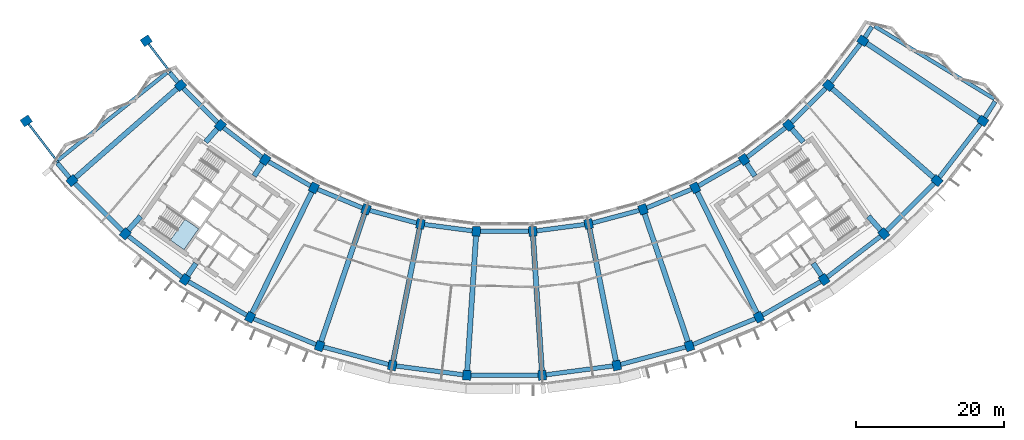
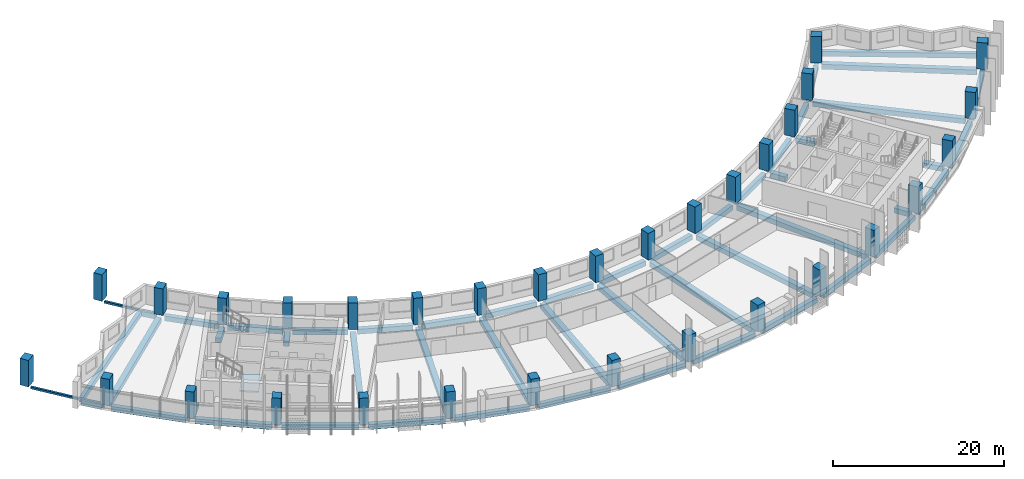
# One storey, part 1 of 27: 53 beams, 32 columns, 2 members, 1 slab, 1 element without a shape of its own.
"""IFC4 building model written with IfcOpenShell, lengths in metres."""

from ifc_helpers import new_model, si_unit, direction, frame, origin, origin_2d, place, context, subcontext, project, spatial, polyline, rectangle, hollow_rectangle, outline, extrude, material, layer, layer_set, material_profile, profile_set, type_object, element, aggregate, save


model = new_model("IFC4")

# Units and contexts
model_context = context("Model", 3, precision=1e-05, world=origin(), true_north=direction((0.0, 1.0)))
body_context = subcontext(model_context, "Body", "Model", "MODEL_VIEW")
ifc_project = project(units=[si_unit("LENGTHUNIT", "METRE"), si_unit("AREAUNIT", "SQUARE_METRE"), si_unit("VOLUMEUNIT", "CUBIC_METRE"), si_unit("PLANEANGLEUNIT", "RADIAN"), si_unit("MASSUNIT", "GRAM", prefix="KILO")], contexts=[model_context])

# Site, building, storey
site_placement = place(None, origin())
site = spatial("IfcSite", under=ifc_project, at=site_placement, CompositionType="ELEMENT")
building_placement = place(site_placement, origin())
building = spatial("IfcBuilding", under=site, at=building_placement, Name="Qamariyya Broadcast Tower", CompositionType="ELEMENT")
storey_placement = place(building_placement, frame((0.0, 0.0, 187.300048828125)))
storey = spatial("IfcBuildingStorey", under=building, at=storey_placement, Name="L44", CompositionType="ELEMENT", Elevation=187.300048828125)

# Columns
ifc_material_1 = material(Name="Concrete C60/75", Category="concrete")
ifc_material_profile_1 = material_profile(ifc_material_1, rectangle(XDim=1.10009765625, YDim=1.300048828125, at=origin_2d()))
ifc_profile_set_1 = profile_set([ifc_material_profile_1], Name="Concrete C60/75")
column_type = type_object("IfcColumnType", Name="RC column 1100 x 1300 C60/75", PredefinedType="COLUMN", material=ifc_profile_set_1)
for number, where, z_axis, x_axis, name in (
    (1, (-43.794677734375, -38.406982421875, 0.0), (0.0, 0.0, 1.0), (0.6593458151, -0.751839807479, 0.0), "Column C8 L44 B-R04"),
    (2, (-58.45556640625, -51.26416015625, 0.0), (0.0, 0.0, 1.0), (0.6593458151, -0.751839807479, 0.0), "Column C8 L44 C-R04"),
    (3, (-38.406982421875, -43.794677734375, 0.0), (0.0, 0.0, 1.0), (0.751839807479, -0.6593458151, 0.0), "Column C8 L44 B-R05"),
    (4, (-51.26416015625, -58.45556640625, 0.0), (0.0, 0.0, 1.0), (0.751839807479, -0.6593458151, 0.0), "Column C8 L44 C-R05"),
    (5, (-32.362060546875, -48.43310546875, 0.0), (0.0, 0.0, 1.0), (0.831469612303, -0.55557023302, 0.0), "Column C8 L44 B-R06"),
    (6, (-43.195556640625, -64.646728515625, 0.0), (0.0, 0.0, 1.0), (0.831469612303, -0.55557023302, 0.0), "Column C8 L44 C-R06"),
    (7, (-25.763427734375, -52.242919921875, 0.0), (0.0, 0.0, 1.0), (0.896872741533, -0.442288690219, 0.0), "Column C8 L44 B-R07"),
    (8, (-34.387939453125, -69.73193359375, 0.0), (0.0, 0.0, 1.0), (0.896872741533, -0.442288690219, 0.0), "Column C8 L44 C-R07"),
    (9, (-18.723876953125, -55.15869140625, 0.0), (0.0, 0.0, 1.0), (0.946930129495, -0.321439465303, 0.0), "Column C8 L44 B-R08"),
    (10, (-24.991943359375, -73.623779296875, 0.0), (0.0, 0.0, 1.0), (0.946930129495, -0.321439465303, 0.0), "Column C8 L44 C-R08"),
    (11, (-11.364013671875, -57.130859375, 0.0), (0.0, 0.0, 1.0), (0.980785280403, -0.195090322016, 0.0), "Column C8 L44 B-R09"),
    (12, (-15.168212890625, -76.256103515625, 0.0), (0.0, 0.0, 1.0), (0.980785280403, -0.195090322016, 0.0), "Column C8 L44 C-R09"),
    (13, (-3.809814453125, -58.125244140625, 0.0), (0.0, 0.0, 1.0), (0.997858923239, -0.06540312923, 0.0), "Column C8 L44 B-R10"),
    (14, (-5.085205078125, -77.58349609375, 0.0), (0.0, 0.0, 1.0), (0.997858923239, -0.06540312923, 0.0), "Column C8 L44 C-R10"),
    (15, (3.809814453125, -58.125244140625, 0.0), (0.0, 0.0, 1.0), (0.997858923239, 0.06540312923, 0.0), "Column C8 L44 B-R11"),
    (16, (5.085205078125, -77.58349609375, 0.0), (0.0, 0.0, 1.0), (0.997858923239, 0.06540312923, 0.0), "Column C8 L44 C-R11"),
    (17, (11.364013671875, -57.130859375, 0.0), (0.0, 0.0, 1.0), (0.980785280403, 0.195090322016, 0.0), "Column C8 L44 B-R12"),
    (18, (15.168212890625, -76.256103515625, 0.0), (0.0, 0.0, 1.0), (0.980785280403, 0.195090322016, 0.0), "Column C8 L44 C-R12"),
    (19, (18.723876953125, -55.15869140625, 0.0), (0.0, 0.0, 1.0), (0.946930129495, 0.321439465303, 0.0), "Column C8 L44 B-R13"),
    (20, (24.991943359375, -73.623779296875, 0.0), (0.0, 0.0, 1.0), (0.946930129495, 0.321439465303, 0.0), "Column C8 L44 C-R13"),
    (21, (25.763427734375, -52.242919921875, 0.0), (0.0, 0.0, 1.0), (0.896872741533, 0.442288690219, 0.0), "Column C8 L44 B-R14"),
    (22, (34.387939453125, -69.73193359375, 0.0), (0.0, 0.0, 1.0), (0.896872741533, 0.442288690219, 0.0), "Column C8 L44 C-R14"),
    (23, (32.362060546875, -48.43310546875, 0.0), (0.0, 0.0, 1.0), (0.831469612303, 0.55557023302, 0.0), "Column C8 L44 B-R15"),
    (24, (43.195556640625, -64.646728515625, 0.0), (0.0, 0.0, 1.0), (0.831469612303, 0.55557023302, 0.0), "Column C8 L44 C-R15"),
    (25, (38.406982421875, -43.794677734375, 0.0), (0.0, 0.0, 1.0), (0.751839807479, 0.6593458151, 0.0), "Column C8 L44 B-R16"),
    (26, (51.26416015625, -58.45556640625, 0.0), (0.0, 0.0, 1.0), (0.751839807479, 0.6593458151, 0.0), "Column C8 L44 C-R16"),
    (27, (43.794677734375, -38.406982421875, 0.0), (0.0, 0.0, 1.0), (0.6593458151, 0.751839807479, 0.0), "Column C8 L44 B-R17"),
    (28, (58.45556640625, -51.26416015625, 0.0), (0.0, 0.0, 1.0), (0.6593458151, 0.751839807479, 0.0), "Column C8 L44 C-R17"),
    (29, (48.43310546875, -32.362060546875, 0.0), (0.0, 0.0, 1.0), (0.55557023302, 0.831469612303, 0.0), "Column C8 L44 B-R18"),
    (30, (64.646728515625, -43.195556640625, 0.0), (0.0, 0.0, 1.0), (0.55557023302, 0.831469612303, 0.0), "Column C8 L44 C-R18"),
    (31, (-48.43310546875, -32.362060546875, 0.0), (0.0, 0.0, 1.0), (0.55557023302, -0.831469612303, 0.0), "Column C8 L44 B-R03"),
    (32, (-64.646728515625, -43.195556640625, 0.0), (0.0, 0.0, 1.0), (0.55557023302, -0.831469612303, 0.0), "Column C8 L44 C-R03"),
):
    element("IfcColumn", number, at=place(storey_placement, frame(where, z_axis=z_axis, x_axis=x_axis)), inside=storey, type_object=column_type, Name=name, PredefinedType="COLUMN", context=body_context, shape_type="SweptSolid", body=[
        extrude(rectangle(XDim=1.10009765625, YDim=1.300048828125, at=origin_2d()), origin(), (0.0, 0.0, 1.0), 3.800048828125),
    ])

# Members
ifc_material_2 = material(Name="Steel S355", Category="steel")
ifc_material_profile_2 = material_profile(ifc_material_2, hollow_rectangle(XDim=0.300048828125, YDim=0.300048828125, WallThickness=0.012451171875, InnerFilletRadius=0.012451171875, OuterFilletRadius=0.02490234375, at=origin_2d()))
ifc_profile_set_2 = profile_set([ifc_material_profile_2], Name="Steel S355")
member_type = type_object("IfcMemberType", Name="Pylon tie RHS 300x300x12.5", PredefinedType="STRUT", material=ifc_profile_set_2)
member_1_placement = place(storey_placement, frame((-44.130126953125, -37.9697265625, -0.449951171875), z_axis=(-0.608774374473, 0.793343406719, 0.0), x_axis=(-0.793343406719, -0.608774374473, 0.0)))
element("IfcMember", 33, at=member_1_placement, inside=storey, type_object=member_type, Name="Pylon tie T1 L44 B-R03", PredefinedType="STRUT", context=body_context, shape_type="SweptSolid", body=[
    extrude(hollow_rectangle(XDim=0.300048828125, YDim=0.300048828125, WallThickness=0.012451171875, InnerFilletRadius=0.012451171875, OuterFilletRadius=0.02490234375, at=origin_2d()), origin(), (0.0, 0.0, 1.0), 6.517333984375),
])
member_2_placement = place(storey_placement, frame((-58.791015625, -50.826904296875, -0.449951171875), z_axis=(-0.608764405458, 0.793351056372, 0.0), x_axis=(-0.793351056372, -0.608764405458, 0.0)))
element("IfcMember", 34, at=member_2_placement, inside=storey, type_object=member_type, Name="Pylon tie T1 L44 C-R03", PredefinedType="STRUT", context=body_context, shape_type="SweptSolid", body=[
    extrude(hollow_rectangle(XDim=0.300048828125, YDim=0.300048828125, WallThickness=0.012451171875, InnerFilletRadius=0.012451171875, OuterFilletRadius=0.02490234375, at=origin_2d()), origin(), (0.0, 0.0, 1.0), 9.06787109375),
])

# Beams
ifc_material_3 = material(Name="Concrete C40/50", Category="concrete")
ifc_material_profile_3 = material_profile(ifc_material_3, rectangle(XDim=0.60009765625, YDim=0.699951171875, at=origin_2d()))
ifc_profile_set_3 = profile_set([ifc_material_profile_3], Name="Concrete C40/50")
beam_type_1 = type_object("IfcBeamType", Name="RC edge beam 600 x 700 C40/50", PredefinedType="SPANDREL", material=ifc_profile_set_3)
for number, where, z_axis, x_axis, name in (
    (35, (-43.405029296875, -38.796630859375, -0.650146484375), (0.707106781187, -0.707106781187, 0.0), (0.707106781187, 0.707106781187, 0.0), "Edge beam B20 L44 B R04-R05"),
    (36, (-37.9697265625, -44.130126953125, -0.650146484375), (0.793343406719, -0.608774374473, 0.0), (0.608774374473, 0.793343406719, 0.0), "Edge beam B20 L44 B R05-R06"),
):
    element("IfcBeam", number, at=place(storey_placement, frame(where, z_axis=z_axis, x_axis=x_axis)), inside=storey, type_object=beam_type_1, Name=name, PredefinedType="SPANDREL", context=body_context, shape_type="SweptSolid", body=[
        extrude(rectangle(XDim=0.60009765625, YDim=0.699951171875, at=origin_2d()), origin(), (0.0, 0.0, 1.0), 6.517333984375),
    ])
beam_1_placement = place(storey_placement, frame((-31.884521484375, -48.708740234375, -0.650146484375), z_axis=(0.866019015165, -0.500011065251, 0.0), x_axis=(0.500011065251, 0.866019015165, 0.0)))
element("IfcBeam", 37, at=beam_1_placement, inside=storey, type_object=beam_type_1, Name="Edge beam B20 L44 B R06-R07", PredefinedType="SPANDREL", context=body_context, shape_type="SweptSolid", body=[
    extrude(rectangle(XDim=0.60009765625, YDim=0.699951171875, at=origin_2d()), origin(), (0.0, 0.0, 1.0), 6.516845703125),
])
for number, where, z_axis, x_axis, name in (
    (38, (-25.254150390625, -52.453857421875, -0.650146484375), (0.923883967792, -0.382672724475, 0.0), (0.382672724475, 0.923883967792, 0.0), "Edge beam B20 L44 B R07-R08"),
    (39, (-18.19140625, -55.30126953125, -0.650146484375), (0.965923971679, -0.258825966504, 0.0), (0.258825966504, 0.965923971679, 0.0), "Edge beam B20 L44 B R08-R09"),
    (40, (-10.817626953125, -57.20263671875, -0.650146484375), (0.991446388377, -0.130514592953, 0.0), (0.130514592953, 0.991446388377, 0.0), "Edge beam B20 L44 B R09-R10"),
    (41, (-3.258544921875, -58.125244140625, -0.650146484375), (1.0, 0.0, 0.0), (0.0, 1.0, 0.0), "Edge beam B20 L44 B R10-R11"),
    (42, (4.356201171875, -58.05322265625, -0.650146484375), (0.991446388377, 0.130514592953, 0.0), (-0.130514592953, 0.991446388377, 0.0), "Edge beam B20 L44 B R11-R12"),
    (43, (11.896484375, -56.988037109375, -0.650146484375), (0.965923971679, 0.258825966504, 0.0), (-0.258825966504, 0.965923971679, 0.0), "Edge beam B20 L44 B R12-R13"),
    (44, (19.233154296875, -54.94775390625, -0.650146484375), (0.923883967792, 0.382672724475, 0.0), (-0.382672724475, 0.923883967792, 0.0), "Edge beam B20 L44 B R13-R14"),
):
    element("IfcBeam", number, at=place(storey_placement, frame(where, z_axis=z_axis, x_axis=x_axis)), inside=storey, type_object=beam_type_1, Name=name, PredefinedType="SPANDREL", context=body_context, shape_type="SweptSolid", body=[
        extrude(rectangle(XDim=0.60009765625, YDim=0.699951171875, at=origin_2d()), origin(), (0.0, 0.0, 1.0), 6.51708984375),
    ])
beam_2_placement = place(storey_placement, frame((26.24072265625, -51.96728515625, -0.650146484375), z_axis=(0.866019015165, 0.500011065251, 0.0), x_axis=(-0.500011065251, 0.866019015165, 0.0)))
element("IfcBeam", 45, at=beam_2_placement, inside=storey, type_object=beam_type_1, Name="Edge beam B20 L44 B R14-R15", PredefinedType="SPANDREL", context=body_context, shape_type="SweptSolid", body=[
    extrude(rectangle(XDim=0.60009765625, YDim=0.699951171875, at=origin_2d()), origin(), (0.0, 0.0, 1.0), 6.516845703125),
])
for number, where, z_axis, x_axis, name in (
    (46, (32.79931640625, -48.09765625, -0.650146484375), (0.793343406719, 0.608774374473, 0.0), (-0.608774374473, 0.793343406719, 0.0), "Edge beam B20 L44 B R15-R16"),
    (47, (38.796630859375, -43.405029296875, -0.650146484375), (0.707106781187, 0.707106781187, 0.0), (-0.707106781187, 0.707106781187, 0.0), "Edge beam B20 L44 B R16-R17"),
    (48, (44.130126953125, -37.9697265625, -0.650146484375), (0.608774374473, 0.793343406719, 0.0), (-0.793343406719, 0.608774374473, 0.0), "Edge beam B20 L44 B R17-R18"),
):
    element("IfcBeam", number, at=place(storey_placement, frame(where, z_axis=z_axis, x_axis=x_axis)), inside=storey, type_object=beam_type_1, Name=name, PredefinedType="SPANDREL", context=body_context, shape_type="SweptSolid", body=[
        extrude(rectangle(XDim=0.60009765625, YDim=0.699951171875, at=origin_2d()), origin(), (0.0, 0.0, 1.0), 6.517333984375),
    ])
beam_3_placement = place(storey_placement, frame((-58.06591796875, -51.65380859375, -0.650146484375), z_axis=(0.707106781187, -0.707106781187, 0.0), x_axis=(0.707106781187, 0.707106781187, 0.0)))
element("IfcBeam", 49, at=beam_3_placement, inside=storey, type_object=beam_type_1, Name="Edge beam B20 L44 C R04-R05", PredefinedType="SPANDREL", context=body_context, shape_type="SweptSolid", body=[
    extrude(rectangle(XDim=0.60009765625, YDim=0.699951171875, at=origin_2d()), origin(), (0.0, 0.0, 1.0), 9.068115234375),
])
for number, where, z_axis, x_axis, name in (
    (50, (-50.826904296875, -58.791015625, -0.650146484375), (0.793351056372, -0.608764405458, 0.0), (0.608764405458, 0.793351056372, 0.0), "Edge beam B20 L44 C R05-R06"),
    (51, (-42.71826171875, -64.92236328125, -0.650146484375), (0.866025972227, -0.499999015427, 0.0), (0.499999015427, 0.866025972227, 0.0), "Edge beam B20 L44 C R06-R07"),
):
    element("IfcBeam", number, at=place(storey_placement, frame(where, z_axis=z_axis, x_axis=x_axis)), inside=storey, type_object=beam_type_1, Name=name, PredefinedType="SPANDREL", context=body_context, shape_type="SweptSolid", body=[
        extrude(rectangle(XDim=0.60009765625, YDim=0.699951171875, at=origin_2d()), origin(), (0.0, 0.0, 1.0), 9.06787109375),
    ])
beam_4_placement = place(storey_placement, frame((-33.878662109375, -69.94287109375, -0.650146484375), z_axis=(0.923882618409, -0.382675982265, 0.0), x_axis=(0.382675982265, 0.923882618409, 0.0)))
element("IfcBeam", 52, at=beam_4_placement, inside=storey, type_object=beam_type_1, Name="Edge beam B20 L44 C R07-R08", PredefinedType="SPANDREL", context=body_context, shape_type="SweptSolid", body=[
    extrude(rectangle(XDim=0.60009765625, YDim=0.699951171875, at=origin_2d()), origin(), (0.0, 0.0, 1.0), 9.067626953125),
])
for number, where, z_axis, x_axis, name in (
    (53, (-24.45947265625, -73.766357421875, -0.650146484375), (0.965925457615, -0.258820421007, 0.0), (0.258820421007, 0.965925457615, 0.0), "Edge beam B20 L44 C R08-R09"),
    (54, (-14.621826171875, -76.327880859375, -0.650146484375), (0.991444762322, -0.130526944594, 0.0), (0.130526944594, 0.991444762322, 0.0), "Edge beam B20 L44 C R09-R10"),
    (55, (-4.533935546875, -77.58349609375, -0.650146484375), (1.0, 0.0, 0.0), (0.0, 1.0, 0.0), "Edge beam B20 L44 C R10-R11"),
    (56, (5.631591796875, -77.511474609375, -0.650146484375), (0.991444762322, 0.130526944594, 0.0), (-0.130526944594, 0.991444762322, 0.0), "Edge beam B20 L44 C R11-R12"),
    (57, (15.70068359375, -76.11328125, -0.650146484375), (0.965925457615, 0.258820421007, 0.0), (-0.258820421007, 0.965925457615, 0.0), "Edge beam B20 L44 C R12-R13"),
):
    element("IfcBeam", number, at=place(storey_placement, frame(where, z_axis=z_axis, x_axis=x_axis)), inside=storey, type_object=beam_type_1, Name=name, PredefinedType="SPANDREL", context=body_context, shape_type="SweptSolid", body=[
        extrude(rectangle(XDim=0.60009765625, YDim=0.699951171875, at=origin_2d()), origin(), (0.0, 0.0, 1.0), 9.06787109375),
    ])
beam_5_placement = place(storey_placement, frame((25.501220703125, -73.412841796875, -0.650146484375), z_axis=(0.923882618409, 0.382675982265, 0.0), x_axis=(-0.382675982265, 0.923882618409, 0.0)))
element("IfcBeam", 58, at=beam_5_placement, inside=storey, type_object=beam_type_1, Name="Edge beam B20 L44 C R13-R14", PredefinedType="SPANDREL", context=body_context, shape_type="SweptSolid", body=[
    extrude(rectangle(XDim=0.60009765625, YDim=0.699951171875, at=origin_2d()), origin(), (0.0, 0.0, 1.0), 9.067626953125),
])
for number, where, z_axis, x_axis, name in (
    (59, (34.865234375, -69.456298828125, -0.650146484375), (0.866025972227, 0.499999015427, 0.0), (-0.499999015427, 0.866025972227, 0.0), "Edge beam B20 L44 C R14-R15"),
    (60, (43.6328125, -64.311279296875, -0.650146484375), (0.793351056372, 0.608764405458, 0.0), (-0.608764405458, 0.793351056372, 0.0), "Edge beam B20 L44 C R15-R16"),
):
    element("IfcBeam", number, at=place(storey_placement, frame(where, z_axis=z_axis, x_axis=x_axis)), inside=storey, type_object=beam_type_1, Name=name, PredefinedType="SPANDREL", context=body_context, shape_type="SweptSolid", body=[
        extrude(rectangle(XDim=0.60009765625, YDim=0.699951171875, at=origin_2d()), origin(), (0.0, 0.0, 1.0), 9.06787109375),
    ])
beam_6_placement = place(storey_placement, frame((51.65380859375, -58.06591796875, -0.650146484375), z_axis=(0.707106781187, 0.707106781187, 0.0), x_axis=(-0.707106781187, 0.707106781187, 0.0)))
element("IfcBeam", 61, at=beam_6_placement, inside=storey, type_object=beam_type_1, Name="Edge beam B20 L44 C R16-R17", PredefinedType="SPANDREL", context=body_context, shape_type="SweptSolid", body=[
    extrude(rectangle(XDim=0.60009765625, YDim=0.699951171875, at=origin_2d()), origin(), (0.0, 0.0, 1.0), 9.068115234375),
])
beam_7_placement = place(storey_placement, frame((58.791015625, -50.826904296875, -0.650146484375), z_axis=(0.608764405458, 0.793351056372, 0.0), x_axis=(-0.793351056372, 0.608764405458, 0.0)))
element("IfcBeam", 62, at=beam_7_placement, inside=storey, type_object=beam_type_1, Name="Edge beam B20 L44 C R17-R18", PredefinedType="SPANDREL", context=body_context, shape_type="SweptSolid", body=[
    extrude(rectangle(XDim=0.60009765625, YDim=0.699951171875, at=origin_2d()), origin(), (0.0, 0.0, 1.0), 9.06787109375),
])
ifc_material_profile_4 = material_profile(ifc_material_3, rectangle(XDim=0.60009765625, YDim=0.699951171875, at=origin_2d()))
ifc_profile_set_4 = profile_set([ifc_material_profile_4], Name="Concrete C40/50")
beam_type_2 = type_object("IfcBeamType", Name="RC horn beam 600 x 700 C40/50", PredefinedType="BEAM", material=ifc_profile_set_4)
beam_8_placement = place(storey_placement, frame((-44.1484375, -37.985595703125, -0.650146484375), z_axis=(-0.643067799752, 0.765809248391, 0.0), x_axis=(-0.765809248391, -0.643067799752, 0.0)))
element("IfcBeam", 63, at=beam_8_placement, inside=storey, type_object=beam_type_2, Name="Horn beam B19 L44 W B-R04", PredefinedType="BEAM", context=body_context, shape_type="SweptSolid", body=[
    extrude(rectangle(XDim=0.60009765625, YDim=0.699951171875, at=origin_2d()), origin(), (0.0, 0.0, 1.0), 1.70458984375),
])
beam_9_placement = place(storey_placement, frame((-58.809326171875, -50.8427734375, -0.650146484375), z_axis=(-0.64304122187, 0.76583156567, 0.0), x_axis=(-0.76583156567, -0.64304122187, 0.0)))
element("IfcBeam", 64, at=beam_9_placement, inside=storey, type_object=beam_type_2, Name="Horn beam B19 L44 W C-R04", PredefinedType="BEAM", context=body_context, shape_type="SweptSolid", body=[
    extrude(rectangle(XDim=0.60009765625, YDim=0.699951171875, at=origin_2d()), origin(), (0.0, 0.0, 1.0), 2.54296875),
])
beam_10_placement = place(storey_placement, frame((48.728759765625, -31.898193359375, -0.650146484375), z_axis=(0.537598067968, 0.843201231805, 0.0), x_axis=(-0.843201231805, 0.537598067968, 0.0)))
element("IfcBeam", 65, at=beam_10_placement, inside=storey, type_object=beam_type_2, Name="Horn beam B19 L44 E B-R18", PredefinedType="BEAM", context=body_context, shape_type="SweptSolid", body=[
    extrude(rectangle(XDim=0.60009765625, YDim=0.699951171875, at=origin_2d()), origin(), (0.0, 0.0, 1.0), 1.704833984375),
])
beam_11_placement = place(storey_placement, frame((64.9423828125, -42.731689453125, -0.650146484375), z_axis=(0.53761450605, 0.843190751185, 0.0), x_axis=(-0.843190751185, 0.53761450605, 0.0)))
element("IfcBeam", 66, at=beam_11_placement, inside=storey, type_object=beam_type_2, Name="Horn beam B19 L44 E C-R18", PredefinedType="BEAM", context=body_context, shape_type="SweptSolid", body=[
    extrude(rectangle(XDim=0.60009765625, YDim=0.699951171875, at=origin_2d()), origin(), (0.0, 0.0, 1.0), 2.54296875),
])
ifc_material_profile_5 = material_profile(ifc_material_3, rectangle(XDim=0.5, YDim=0.699951171875, at=origin_2d()))
ifc_profile_set_5 = profile_set([ifc_material_profile_5], Name="Concrete C40/50")
beam_type_3 = type_object("IfcBeamType", Name="RC horn cap beam 500 x 700 C40/50", PredefinedType="BEAM", material=ifc_profile_set_5)
beam_12_placement = place(storey_placement, frame((-45.63916015625, -36.676513671875, -0.650146484375), z_axis=(-0.779488210445, -0.626416897742, 0.0), x_axis=(0.626416897742, -0.779488210445, 0.0)))
element("IfcBeam", 67, at=beam_12_placement, inside=storey, type_object=beam_type_3, Name="Horn cap beam B21 L44 W B-C", PredefinedType="BEAM", context=body_context, shape_type="SweptSolid", body=[
    extrude(rectangle(XDim=0.5, YDim=0.699951171875, at=origin_2d()), origin(), (0.0, 0.0, 1.0), 18.900146484375),
])
beam_13_placement = place(storey_placement, frame((50.035888671875, -30.40576171875, -0.650146484375), z_axis=(0.854585452951, -0.519310796734, 0.0), x_axis=(0.519310796734, 0.854585452951, 0.0)))
element("IfcBeam", 68, at=beam_13_placement, inside=storey, type_object=beam_type_3, Name="Horn cap beam B21 L44 E B-C", PredefinedType="BEAM", context=body_context, shape_type="SweptSolid", body=[
    extrude(rectangle(XDim=0.5, YDim=0.699951171875, at=origin_2d()), origin(), (0.0, 0.0, 1.0), 18.89990234375),
])
ifc_material_profile_6 = material_profile(ifc_material_3, rectangle(XDim=0.699951171875, YDim=0.699951171875, at=origin_2d()))
ifc_profile_set_6 = profile_set([ifc_material_profile_6], Name="Concrete C40/50")
beam_type_4 = type_object("IfcBeamType", Name="RC radial beam 700 x 700 C40/50", PredefinedType="BEAM", material=ifc_profile_set_6)
beam_14_placement = place(storey_placement, frame((-44.283447265625, -38.83544921875, -0.650146484375), z_axis=(-0.751839141307, -0.659346574723, 0.0), x_axis=(0.659346574723, -0.751839141307, 0.0)))
element("IfcBeam", 69, at=beam_14_placement, inside=storey, type_object=beam_type_4, Name="Radial beam B18 L44 R04 B-C", PredefinedType="BEAM", context=body_context, shape_type="SweptSolid", body=[
    extrude(rectangle(XDim=0.699951171875, YDim=0.699951171875, at=origin_2d()), origin(), (0.0, 0.0, 1.0), 18.199951171875),
])
beam_15_placement = place(storey_placement, frame((-38.83544921875, -44.283447265625, -0.650146484375), z_axis=(-0.659381501846, -0.751808509544, 0.0), x_axis=(0.751808509544, -0.659381501846, 0.0)))
element("IfcBeam", 70, at=beam_15_placement, inside=storey, type_object=beam_type_4, Name="Radial beam B18 L44 R05 B-C", PredefinedType="BEAM", context=body_context, shape_type="SweptSolid", body=[
    extrude(rectangle(XDim=0.699951171875, YDim=0.699951171875, at=origin_2d()), origin(), (0.0, 0.0, 1.0), 2.364013671875),
])
beam_16_placement = place(storey_placement, frame((-49.1943359375, -56.095458984375, -0.650146484375), z_axis=(-0.659344451764, -0.75184100309, 0.0), x_axis=(0.75184100309, -0.659344451764, 0.0)))
element("IfcBeam", 71, at=beam_16_placement, inside=storey, type_object=beam_type_4, Name="Radial beam B18 L44 R05 B-C", PredefinedType="BEAM", context=body_context, shape_type="SweptSolid", body=[
    extrude(rectangle(XDim=0.699951171875, YDim=0.699951171875, at=origin_2d()), origin(), (0.0, 0.0, 1.0), 2.489013671875),
])
beam_17_placement = place(storey_placement, frame((-32.72314453125, -48.9736328125, -0.650146484375), z_axis=(-0.555594913414, -0.83145312086, 0.0), x_axis=(0.83145312086, -0.555594913414, 0.0)))
element("IfcBeam", 72, at=beam_17_placement, inside=storey, type_object=beam_type_4, Name="Radial beam B18 L44 R06 B-C", PredefinedType="BEAM", context=body_context, shape_type="SweptSolid", body=[
    extrude(rectangle(XDim=0.699951171875, YDim=0.699951171875, at=origin_2d()), origin(), (0.0, 0.0, 1.0), 2.014404296875),
])
beam_18_placement = place(storey_placement, frame((-41.733154296875, -62.458251953125, -0.650146484375), z_axis=(-0.555637861027, -0.831424420734, 0.0), x_axis=(0.831424420734, -0.555637861027, 0.0)))
element("IfcBeam", 73, at=beam_18_placement, inside=storey, type_object=beam_type_4, Name="Radial beam B18 L44 R06 B-C", PredefinedType="BEAM", context=body_context, shape_type="SweptSolid", body=[
    extrude(rectangle(XDim=0.699951171875, YDim=0.699951171875, at=origin_2d()), origin(), (0.0, 0.0, 1.0), 1.982177734375),
])
beam_19_placement = place(storey_placement, frame((-26.05078125, -52.82568359375, -0.650146484375), z_axis=(-0.44228110273, -0.896876483228, 0.0), x_axis=(0.896876483228, -0.44228110273, 0.0)))
element("IfcBeam", 74, at=beam_19_placement, inside=storey, type_object=beam_type_4, Name="Radial beam B18 L44 R07 B-C", PredefinedType="BEAM", context=body_context, shape_type="SweptSolid", body=[
    extrude(rectangle(XDim=0.699951171875, YDim=0.699951171875, at=origin_2d()), origin(), (0.0, 0.0, 1.0), 18.2001953125),
])
beam_20_placement = place(storey_placement, frame((-18.932861328125, -55.774169921875, -0.650146484375), z_axis=(-0.321434466477, -0.946931826353, 0.0), x_axis=(0.946931826353, -0.321434466477, 0.0)))
element("IfcBeam", 75, at=beam_20_placement, inside=storey, type_object=beam_type_4, Name="Radial beam B18 L44 R08 B-C", PredefinedType="BEAM", context=body_context, shape_type="SweptSolid", body=[
    extrude(rectangle(XDim=0.699951171875, YDim=0.699951171875, at=origin_2d()), origin(), (0.0, 0.0, 1.0), 18.199951171875),
])
beam_21_placement = place(storey_placement, frame((-11.49072265625, -57.768310546875, -0.650146484375), z_axis=(-0.195097061093, -0.980783939893, 0.0), x_axis=(0.980783939893, -0.195097061093, 0.0)))
element("IfcBeam", 76, at=beam_21_placement, inside=storey, type_object=beam_type_4, Name="Radial beam B18 L44 R09 B-C", PredefinedType="BEAM", context=body_context, shape_type="SweptSolid", body=[
    extrude(rectangle(XDim=0.699951171875, YDim=0.699951171875, at=origin_2d()), origin(), (0.0, 0.0, 1.0), 18.2001953125),
])
for number, where, z_axis, x_axis, name in (
    (77, (-3.852294921875, -58.77392578125, -0.650146484375), (-0.065395361188, -0.997859432353, 0.0), (0.997859432353, -0.065395361188, 0.0), "Radial beam B18 L44 R10 B-C"),
    (78, (3.852294921875, -58.77392578125, -0.650146484375), (0.065395361188, -0.997859432353, 0.0), (0.997859432353, 0.065395361188, 0.0), "Radial beam B18 L44 R11 B-C"),
):
    element("IfcBeam", number, at=place(storey_placement, frame(where, z_axis=z_axis, x_axis=x_axis)), inside=storey, type_object=beam_type_4, Name=name, PredefinedType="BEAM", context=body_context, shape_type="SweptSolid", body=[
        extrude(rectangle(XDim=0.699951171875, YDim=0.699951171875, at=origin_2d()), origin(), (0.0, 0.0, 1.0), 18.199951171875),
    ])
beam_22_placement = place(storey_placement, frame((11.49072265625, -57.768310546875, -0.650146484375), z_axis=(0.195097061093, -0.980783939893, 0.0), x_axis=(0.980783939893, 0.195097061093, 0.0)))
element("IfcBeam", 79, at=beam_22_placement, inside=storey, type_object=beam_type_4, Name="Radial beam B18 L44 R12 B-C", PredefinedType="BEAM", context=body_context, shape_type="SweptSolid", body=[
    extrude(rectangle(XDim=0.699951171875, YDim=0.699951171875, at=origin_2d()), origin(), (0.0, 0.0, 1.0), 18.2001953125),
])
beam_23_placement = place(storey_placement, frame((18.932861328125, -55.774169921875, -0.650146484375), z_axis=(0.321434466477, -0.946931826353, 0.0), x_axis=(0.946931826353, 0.321434466477, 0.0)))
element("IfcBeam", 80, at=beam_23_placement, inside=storey, type_object=beam_type_4, Name="Radial beam B18 L44 R13 B-C", PredefinedType="BEAM", context=body_context, shape_type="SweptSolid", body=[
    extrude(rectangle(XDim=0.699951171875, YDim=0.699951171875, at=origin_2d()), origin(), (0.0, 0.0, 1.0), 18.199951171875),
])
beam_24_placement = place(storey_placement, frame((26.05078125, -52.82568359375, -0.650146484375), z_axis=(0.44228110273, -0.896876483228, 0.0), x_axis=(0.896876483228, 0.44228110273, 0.0)))
element("IfcBeam", 81, at=beam_24_placement, inside=storey, type_object=beam_type_4, Name="Radial beam B18 L44 R14 B-C", PredefinedType="BEAM", context=body_context, shape_type="SweptSolid", body=[
    extrude(rectangle(XDim=0.699951171875, YDim=0.699951171875, at=origin_2d()), origin(), (0.0, 0.0, 1.0), 18.2001953125),
])
beam_25_placement = place(storey_placement, frame((32.72314453125, -48.9736328125, -0.650146484375), z_axis=(0.555594913414, -0.83145312086, 0.0), x_axis=(0.83145312086, 0.555594913414, 0.0)))
element("IfcBeam", 82, at=beam_25_placement, inside=storey, type_object=beam_type_4, Name="Radial beam B18 L44 R15 B-C", PredefinedType="BEAM", context=body_context, shape_type="SweptSolid", body=[
    extrude(rectangle(XDim=0.699951171875, YDim=0.699951171875, at=origin_2d()), origin(), (0.0, 0.0, 1.0), 2.014404296875),
])
beam_26_placement = place(storey_placement, frame((41.733154296875, -62.458251953125, -0.650146484375), z_axis=(0.555637861027, -0.831424420734, 0.0), x_axis=(0.831424420734, 0.555637861027, 0.0)))
element("IfcBeam", 83, at=beam_26_placement, inside=storey, type_object=beam_type_4, Name="Radial beam B18 L44 R15 B-C", PredefinedType="BEAM", context=body_context, shape_type="SweptSolid", body=[
    extrude(rectangle(XDim=0.699951171875, YDim=0.699951171875, at=origin_2d()), origin(), (0.0, 0.0, 1.0), 1.982177734375),
])
beam_27_placement = place(storey_placement, frame((38.83544921875, -44.283447265625, -0.650146484375), z_axis=(0.659381501846, -0.751808509544, 0.0), x_axis=(0.751808509544, 0.659381501846, 0.0)))
element("IfcBeam", 84, at=beam_27_placement, inside=storey, type_object=beam_type_4, Name="Radial beam B18 L44 R16 B-C", PredefinedType="BEAM", context=body_context, shape_type="SweptSolid", body=[
    extrude(rectangle(XDim=0.699951171875, YDim=0.699951171875, at=origin_2d()), origin(), (0.0, 0.0, 1.0), 2.364013671875),
])
beam_28_placement = place(storey_placement, frame((49.1943359375, -56.095458984375, -0.650146484375), z_axis=(0.659344451764, -0.75184100309, 0.0), x_axis=(0.75184100309, 0.659344451764, 0.0)))
element("IfcBeam", 85, at=beam_28_placement, inside=storey, type_object=beam_type_4, Name="Radial beam B18 L44 R16 B-C", PredefinedType="BEAM", context=body_context, shape_type="SweptSolid", body=[
    extrude(rectangle(XDim=0.699951171875, YDim=0.699951171875, at=origin_2d()), origin(), (0.0, 0.0, 1.0), 2.489013671875),
])
beam_29_placement = place(storey_placement, frame((44.283447265625, -38.83544921875, -0.650146484375), z_axis=(0.751839141307, -0.659346574723, 0.0), x_axis=(0.659346574723, 0.751839141307, 0.0)))
element("IfcBeam", 86, at=beam_29_placement, inside=storey, type_object=beam_type_4, Name="Radial beam B18 L44 R17 B-C", PredefinedType="BEAM", context=body_context, shape_type="SweptSolid", body=[
    extrude(rectangle(XDim=0.699951171875, YDim=0.699951171875, at=origin_2d()), origin(), (0.0, 0.0, 1.0), 18.199951171875),
])
beam_30_placement = place(storey_placement, frame((48.9736328125, -32.72314453125, -0.650146484375), z_axis=(0.831467855631, -0.555572862056, 0.0), x_axis=(0.555572862056, 0.831467855631, 0.0)))
element("IfcBeam", 87, at=beam_30_placement, inside=storey, type_object=beam_type_4, Name="Radial beam B18 L44 R18 B-C", PredefinedType="BEAM", context=body_context, shape_type="SweptSolid", body=[
    extrude(rectangle(XDim=0.699951171875, YDim=0.699951171875, at=origin_2d()), origin(), (0.0, 0.0, 1.0), 18.19970703125),
])

# Stair, slab
ifc_material_4 = material(Name="Concrete C50/60", Category="concrete")
stair_type = type_object("IfcStairType", Name="Exit stair 22 risers of 173 mm", PredefinedType="HALF_TURN_STAIR", material=ifc_material_4)
stair_placement = place(storey_placement, origin())
stair = element("IfcStair", 88, at=stair_placement, inside=storey, type_object=stair_type, Name="L44 Stair W1", PredefinedType="HALF_TURN_STAIR")
ifc_layer = layer(ifc_material_4, 0.199951171875)
ifc_layer_set = layer_set([ifc_layer], Name="Stair landing")
slab_type = type_object("IfcSlabType", Name="Stair landing", PredefinedType="LANDING", material=ifc_layer_set)
slab_placement = place(storey_placement, frame((0.0, 0.0, 1.699951171875)))
slab = element("IfcSlab", 89, at=slab_placement, type_object=slab_type, Name="ST-W1 landing 1", PredefinedType="LANDING", context=body_context, shape_type="SweptSolid", body=[
    extrude(outline(polyline([(-45.169677734375, -59.319580078125), (-43.3271484375, -60.609619140625), (-41.348388671875, -57.783447265625), (-43.19091796875, -56.493408203125), (-45.169677734375, -59.319580078125)])), origin(), (0.0, 0.0, 1.0), 0.199951171875),
])
aggregate(stair, [slab])

save(model, "model.ifc")
